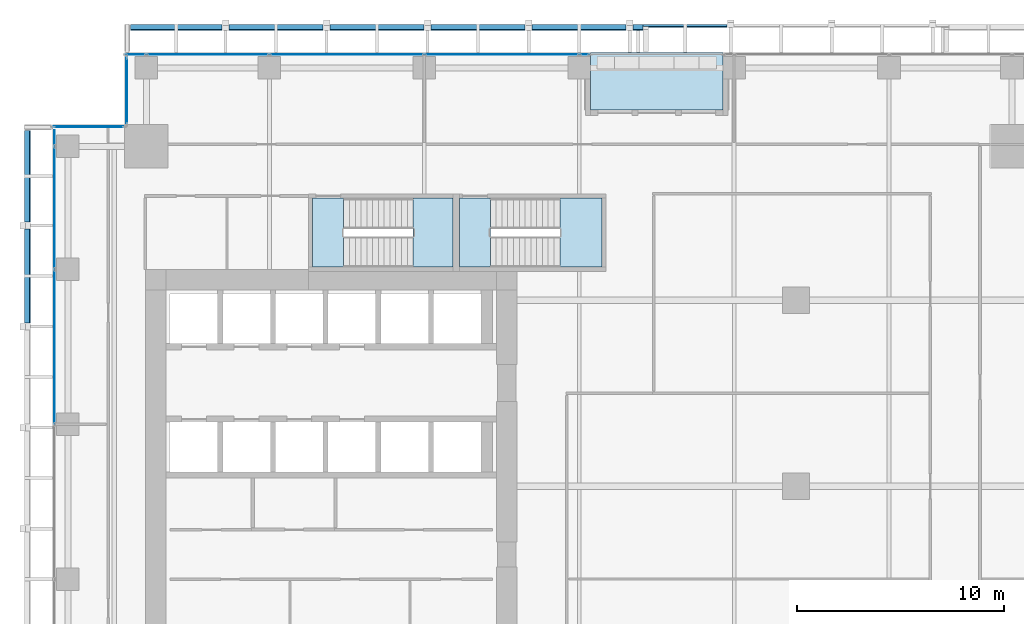
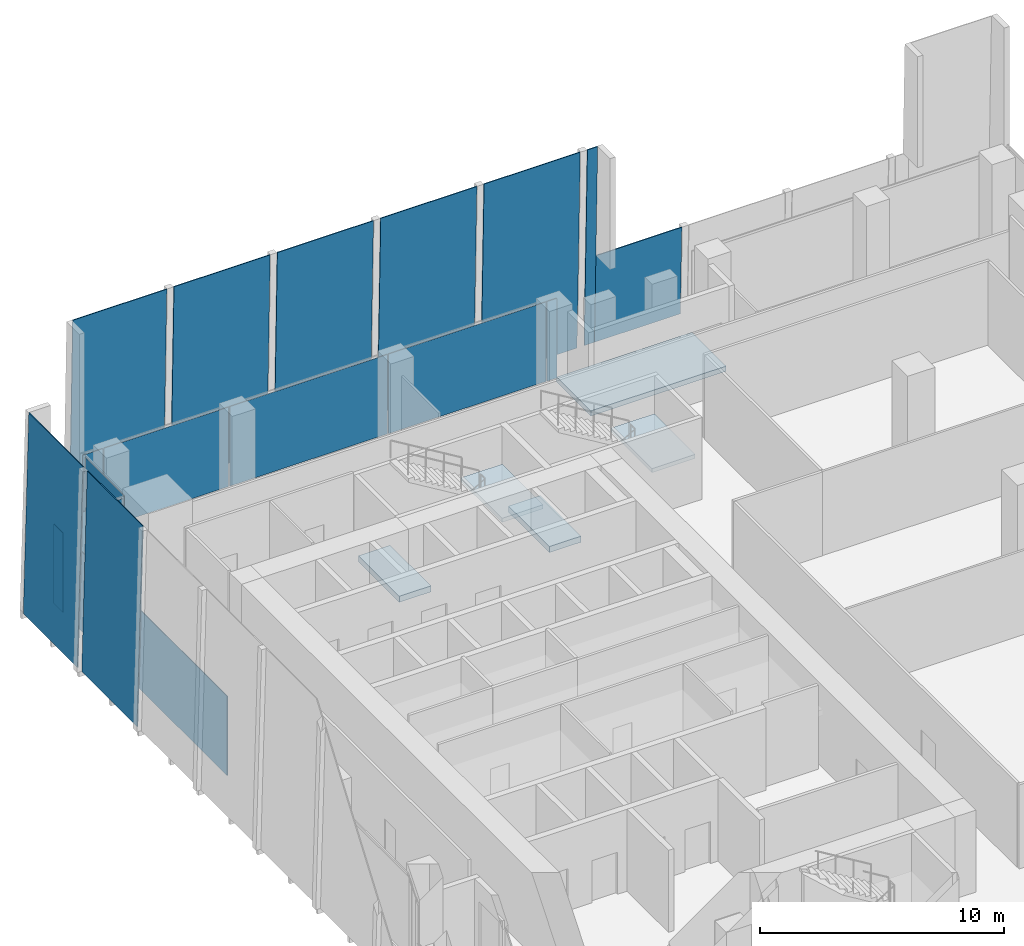
# One storey, part 26 of 34: 19 plates, 5 slabs, 6 elements without a shape of their own.
"""IFC4 building model written with IfcOpenShell, lengths in metres."""

from ifc_helpers import new_model, si_unit, direction, frame, origin, origin_2d, place, context, subcontext, project, spatial, polyline, rectangle, outline, extrude, source, transform, mapped, material, layer, layer_set, type_object, element, aggregate, save


model = new_model("IFC4")

# Units and contexts
model_context = context("Model", 3, precision=1e-05, world=origin(), true_north=direction((0.0, 1.0)))
body_context = subcontext(model_context, "Body", "Model", "MODEL_VIEW")
ifc_project = project(units=[si_unit("LENGTHUNIT", "METRE"), si_unit("AREAUNIT", "SQUARE_METRE"), si_unit("VOLUMEUNIT", "CUBIC_METRE"), si_unit("PLANEANGLEUNIT", "RADIAN"), si_unit("MASSUNIT", "GRAM", prefix="KILO")], contexts=[model_context])

# Site, building, storey
site_placement = place(None, origin())
site = spatial("IfcSite", under=ifc_project, at=site_placement, CompositionType="ELEMENT")
building_placement = place(site_placement, origin())
building = spatial("IfcBuilding", under=site, at=building_placement, Name="Khomas Fold Tower", CompositionType="ELEMENT")
storey_placement = place(building_placement, frame((0.0, 0.0, 154.300048828125)))
storey = spatial("IfcBuildingStorey", under=building, at=storey_placement, Name="L33", CompositionType="ELEMENT", Elevation=154.300048828125)

# Plates
ifc_material_1 = material(Name="Clear laminated glass", Category="glass")
ifc_layer_1 = layer(ifc_material_1, 0.0400390625)
ifc_layer_set_1 = layer_set([ifc_layer_1], Name="Clear laminated glass")
plate_type_1 = type_object("IfcPlateType", Name="SK-Clear laminated glass leaf", PredefinedType="SHEET", material=ifc_layer_set_1)
plate_1_placement = place(storey_placement, frame((5.27001953125, 53.857421875, 0.0009765625), z_axis=(0.0, 0.999657457978, 0.02617186867), x_axis=(1.0, 0.0, 0.0)))
element("IfcPlate", 1, at=plate_1_placement, inside=storey, type_object=plate_type_1, Name="OUTER SKIN glass L33 N1", PredefinedType="SHEET", context=body_context, shape_type="SweptSolid", body=[
    extrude(outline(polyline([(0.0, 0.0), (4.448974609375, 0.0), (4.448974609375, -9.953360616149824), (0.0, -9.953360616149824), (0.0, 0.0)])), origin(), (0.0, 0.0, -1.0), 0.0400390625),
])
for number, where, z_axis, x_axis, name in (
    (2, (10.058837890625, 53.857421875, 0.0009765625), (0.0, 0.999657457978, 0.02617186867), (1.0, 0.0, 0.0), "OUTER SKIN glass L33 N3"),
    (3, (14.94775390625, 53.857421875, 0.0009765625), (0.0, 0.999657457978, 0.02617186867), (1.0, 0.0, 0.0), "OUTER SKIN glass L33 N5"),
    (4, (19.836669921875, 53.857421875, 0.0009765625), (0.0, 0.999657457978, 0.02617186867), (1.0, 0.0, 0.0), "OUTER SKIN glass L33 N7"),
    (5, (24.7255859375, 53.857421875, 0.0009765625), (0.0, 0.999657457978, 0.02617186867), (1.0, 0.0, 0.0), "OUTER SKIN glass L33 N9"),
):
    element("IfcPlate", number, at=place(storey_placement, frame(where, z_axis=z_axis, x_axis=x_axis)), inside=storey, type_object=plate_type_1, Name=name, PredefinedType="SHEET", context=body_context, shape_type="SweptSolid", body=[
        extrude(outline(polyline([(0.0, 0.0), (4.548828125, 0.0), (4.548828125, -9.953360616149824), (0.0, -9.953360616149824), (0.0, 0.0)])), origin(), (0.0, 0.0, -1.0), 0.0400390625),
    ])
plate_2_placement = place(storey_placement, frame((29.614501953125, 53.857421875, 0.0009765625), z_axis=(0.0, 0.999657457978, 0.02617186867), x_axis=(1.0, 0.0, 0.0)))
element("IfcPlate", 6, at=plate_2_placement, inside=storey, type_object=plate_type_1, Name="OUTER SKIN glass L33 N11", PredefinedType="SHEET", context=body_context, shape_type="SweptSolid", body=[
    extrude(outline(polyline([(0.0, 0.0), (0.485595703125, 0.0), (0.485595703125, -9.953360616149823), (0.0, -9.953360616149823), (0.0, 0.0)])), origin(), (0.0, 0.0, -1.0), 0.0400390625),
])
plate_3_placement = place(storey_placement, frame((30.10009765625, 53.857421875, 0.0009765625), z_axis=(0.0, 0.999657212734, 0.026181234292), x_axis=(1.0, 0.0, 0.0)))
element("IfcPlate", 7, at=plate_3_placement, inside=storey, type_object=plate_type_1, Name="OUTER SKIN glass L33 N12", PredefinedType="SHEET", context=body_context, shape_type="SweptSolid", body=[
    extrude(outline(polyline([(0.0, 0.0), (4.063232421875, 0.0), (4.063232421875, -4.401411091424929), (0.0, -4.401411091424929), (0.0, 0.0)])), origin(), (0.0, 0.0, -1.0), 0.0400390625),
])
plate_4_placement = place(storey_placement, frame((0.142578125, 39.392333984375, 0.0009765625), z_axis=(-0.999657457978, 0.0, 0.02617186867), x_axis=(0.0, 1.0, 0.0)))
element("IfcPlate", 8, at=plate_4_placement, inside=storey, type_object=plate_type_1, Name="OUTER SKIN glass L33 W15", PredefinedType="SHEET", context=body_context, shape_type="SweptSolid", body=[
    extrude(outline(polyline([(0.0, 0.0), (4.548828125, 0.0), (4.548828125, -9.953360616149824), (0.0, -9.953360616149824), (0.0, 0.0)])), origin(), (0.0, 0.0, -1.0), 0.0400390625),
])
plate_5_placement = place(storey_placement, frame((0.142578125, 44.281005859375, 0.0009765625), z_axis=(-0.999657457978, 0.0, 0.02617186867), x_axis=(0.0, 1.0, 0.0)))
element("IfcPlate", 9, at=plate_5_placement, inside=storey, type_object=plate_type_1, Name="OUTER SKIN glass L33 W17", PredefinedType="SHEET", context=body_context, shape_type="SweptSolid", body=[
    extrude(outline(polyline([(0.0, 0.0), (4.448974609375, 0.0), (4.448974609375, -9.953360616149824), (0.0, -9.953360616149824), (0.0, 0.0)])), origin(), (0.0, 0.0, -1.0), 0.0400390625),
])

# Curtain wall, plate
ifc_material_2 = material(Name="Aluminium framed double glazing", Category="aluminium")
curtain_wall_type = type_object("IfcCurtainWallType", Name="SK-Unitised clear-glass wall, growing floors CW1", PredefinedType="NOTDEFINED", material=ifc_material_2)
curtain_wall_1_placement = place(storey_placement, origin())
curtain_wall_1 = element("IfcCurtainWall", 10, at=curtain_wall_1_placement, inside=storey, type_object=curtain_wall_type, Name="CW1 run L33 09-0", PredefinedType="NOTDEFINED")
ifc_material_3 = material(Name="Clear double glazed unit")
ifc_layer_2 = layer(ifc_material_3, 0.031982421875)
ifc_layer_set_2 = layer_set([ifc_layer_2], Name="Clear double glazed unit")
plate_type_2 = type_object("IfcPlateType", Name="SK-Unitised clear-glass wall, growing floors glass panel CW1-P", PredefinedType="CURTAIN_PANEL", material=ifc_layer_set_2)
shared_shape_1 = source(origin(), body_context, "Body", "SweptSolid", [
    extrude(rectangle(XDim=0.760009765625, YDim=0.031982421875, at=origin_2d()), origin(), (0.0, 0.0, 1.0), 3.97998046875),
])
plate_6_placement = place(storey_placement, frame((1.60009765625, 48.360107421875, 0.0), z_axis=(0.0, 0.0, 1.0), x_axis=(0.0, -1.0, 0.0)))
plate_6 = element("IfcPlate", 11, at=plate_6_placement, type_object=plate_type_2, Name="CW1 glass panel 1", PredefinedType="CURTAIN_PANEL", context=body_context, shape_type="MappedRepresentation", body=[
    mapped(shared_shape_1, transform((0.0, 0.0, 0.0))),
])

curtain_wall_2_placement = place(storey_placement, origin())
curtain_wall_2 = element("IfcCurtainWall", 12, at=curtain_wall_2_placement, inside=storey, type_object=curtain_wall_type, Name="CW1 run L33 06-1", PredefinedType="NOTDEFINED")
shared_shape_2 = source(origin(), body_context, "Body", "SweptSolid", [
    extrude(rectangle(XDim=5.889892578125, YDim=0.031982421875, at=origin_2d()), origin(), (0.0, 0.0, 1.0), 3.97998046875),
])
plate_7_placement = place(storey_placement, frame((9.02490234375, 52.39990234375, 0.0), z_axis=(0.0, 0.0, 1.0), x_axis=(-1.0, 0.0, 0.0)))
plate_7 = element("IfcPlate", 13, at=plate_7_placement, type_object=plate_type_2, Name="CW1 glass panel 4", PredefinedType="CURTAIN_PANEL", context=body_context, shape_type="MappedRepresentation", body=[
    mapped(shared_shape_2, transform((0.0, 0.0, 0.0))),
])

# Plate
plate_8_placement = place(storey_placement, frame((1.60009765625, 44.97509765625, 0.0), z_axis=(0.0, 0.0, 1.0), x_axis=(0.0, -1.0, 0.0)))
plate_8 = element("IfcPlate", 14, at=plate_8_placement, type_object=plate_type_2, Name="CW1 glass panel 2", PredefinedType="CURTAIN_PANEL", context=body_context, shape_type="MappedRepresentation", body=[
    mapped(shared_shape_2, transform((0.0, 0.0, 0.0))),
])

shared_shape_3 = source(origin(), body_context, "Body", "SweptSolid", [
    extrude(rectangle(XDim=7.43994140625, YDim=0.031982421875, at=origin_2d()), origin(), (0.0, 0.0, 1.0), 3.97998046875),
])
plate_9_placement = place(storey_placement, frame((23.25, 52.39990234375, 0.0), z_axis=(0.0, 0.0, 1.0), x_axis=(-1.0, 0.0, 0.0)))
plate_9 = element("IfcPlate", 15, at=plate_9_placement, type_object=plate_type_2, Name="CW1 glass panel 2", PredefinedType="CURTAIN_PANEL", context=body_context, shape_type="MappedRepresentation", body=[
    mapped(shared_shape_3, transform((0.0, 0.0, 0.0))),
])

plate_10_placement = place(storey_placement, frame((15.75, 52.39990234375, 0.0), z_axis=(0.0, 0.0, 1.0), x_axis=(-1.0, 0.0, 0.0)))
plate_10 = element("IfcPlate", 16, at=plate_10_placement, type_object=plate_type_2, Name="CW1 glass panel 3", PredefinedType="CURTAIN_PANEL", context=body_context, shape_type="MappedRepresentation", body=[
    mapped(shared_shape_3, transform((0.0, 0.0, 0.0))),
])

plate_11_placement = place(storey_placement, frame((1.60009765625, 38.25, 0.0), z_axis=(0.0, 0.0, 1.0), x_axis=(0.0, -1.0, 0.0)))
plate_11 = element("IfcPlate", 17, at=plate_11_placement, type_object=plate_type_2, Name="CW1 glass panel 3", PredefinedType="CURTAIN_PANEL", context=body_context, shape_type="MappedRepresentation", body=[
    mapped(shared_shape_3, transform((0.0, 0.0, 0.0))),
])

aggregate(curtain_wall_1, [plate_6, plate_8, plate_11])

shared_shape_4 = source(origin(), body_context, "Body", "SweptSolid", [
    extrude(rectangle(XDim=0.9599609375, YDim=0.031982421875, at=origin_2d()), origin(), (0.0, 0.0, 1.0), 3.97998046875),
])
plate_12_placement = place(storey_placement, frame((5.5400390625, 52.39990234375, 0.0), z_axis=(0.0, 0.0, 1.0), x_axis=(-1.0, 0.0, 0.0)))
plate_12 = element("IfcPlate", 18, at=plate_12_placement, type_object=plate_type_2, Name="CW1 glass panel 5", PredefinedType="CURTAIN_PANEL", context=body_context, shape_type="MappedRepresentation", body=[
    mapped(shared_shape_4, transform((0.0, 0.0, 0.0))),
])

# Curtain wall, plate
curtain_wall_3_placement = place(storey_placement, origin())
curtain_wall_3 = element("IfcCurtainWall", 19, at=curtain_wall_3_placement, inside=storey, type_object=curtain_wall_type, Name="CW1 corner return L33 07", PredefinedType="NOTDEFINED")
shared_shape_5 = source(origin(), body_context, "Body", "SweptSolid", [
    extrude(rectangle(XDim=3.179931640625, YDim=0.031982421875, at=origin_2d()), origin(), (0.0, 0.0, 1.0), 3.97998046875),
])
plate_13_placement = place(storey_placement, frame((5.10009765625, 50.64990234375, 0.0), z_axis=(0.0, 0.0, 1.0), x_axis=(0.0, -1.0, 0.0)))
plate_13 = element("IfcPlate", 20, at=plate_13_placement, type_object=plate_type_2, Name="CW1 glass panel 1", PredefinedType="CURTAIN_PANEL", context=body_context, shape_type="MappedRepresentation", body=[
    mapped(shared_shape_5, transform((0.0, 0.0, 0.0))),
])
aggregate(curtain_wall_3, [plate_13])

curtain_wall_4_placement = place(storey_placement, origin())
curtain_wall_4 = element("IfcCurtainWall", 21, at=curtain_wall_4_placement, inside=storey, type_object=curtain_wall_type, Name="CW1 corner return L33 08", PredefinedType="NOTDEFINED")
shared_shape_6 = source(origin(), body_context, "Body", "SweptSolid", [
    extrude(rectangle(XDim=3.3798828125, YDim=0.031982421875, at=origin_2d()), origin(), (0.0, 0.0, 1.0), 3.97998046875),
])
plate_14_placement = place(storey_placement, frame((3.25, 48.89990234375, 0.0), z_axis=(0.0, 0.0, 1.0), x_axis=(-1.0, 0.0, 0.0)))
plate_14 = element("IfcPlate", 22, at=plate_14_placement, type_object=plate_type_2, Name="CW1 glass panel 1", PredefinedType="CURTAIN_PANEL", context=body_context, shape_type="MappedRepresentation", body=[
    mapped(shared_shape_6, transform((0.0, 0.0, 0.0))),
])
aggregate(curtain_wall_4, [plate_14])

# Plate
shared_shape_7 = source(origin(), body_context, "Body", "SweptSolid", [
    extrude(rectangle(XDim=0.4599609375, YDim=0.031982421875, at=origin_2d()), origin(), (0.0, 0.0, 1.0), 3.97998046875),
])
plate_15_placement = place(storey_placement, frame((27.260009765625, 52.39990234375, 0.0), z_axis=(0.0, 0.0, 1.0), x_axis=(-1.0, 0.0, 0.0)))
plate_15 = element("IfcPlate", 23, at=plate_15_placement, type_object=plate_type_2, Name="CW1 glass panel 1", PredefinedType="CURTAIN_PANEL", context=body_context, shape_type="MappedRepresentation", body=[
    mapped(shared_shape_7, transform((0.0, 0.0, 0.0))),
])

aggregate(curtain_wall_2, [plate_15, plate_9, plate_10, plate_7, plate_12])

# Slab
ifc_material_4 = material(Name="Concrete C40/50", Category="concrete")
ifc_layer_3 = layer(ifc_material_4, 0.2548828125)
ifc_layer_set_3 = layer_set([ifc_layer_3], Name="Concrete C40/50")
slab_type_1 = type_object("IfcSlabType", Name="BL-Balcony deck 255", PredefinedType="FLOOR", material=ifc_layer_set_3)
shared_shape_8 = source(origin(), body_context, "Body", "SweptSolid", [
    extrude(outline(polyline([(27.550048828125, 49.699951171875), (33.949951171875, 49.699951171875), (33.949951171875, 52.5), (27.550048828125, 52.5), (27.550048828125, 49.699951171875)])), origin(), (0.0, 0.0, 1.0), 0.2548828125),
])
slab_1_placement = place(storey_placement, frame((0.0, 0.0, -0.300048828125)))
element("IfcSlab", 24, at=slab_1_placement, inside=storey, type_object=slab_type_1, Name="Balcony deck BAL-L33-N3", PredefinedType="FLOOR", context=body_context, shape_type="MappedRepresentation", body=[
    mapped(shared_shape_8, transform((0.0, 0.0, 0.0))),
])

# Stair, slab
ifc_material_5 = material(Name="Concrete C40/50", Category="concrete")
stair_type_1 = type_object("IfcStairType", Name="Stair ST1", PredefinedType="HALF_TURN_STAIR", material=ifc_material_5)
stair_1_placement = place(storey_placement, origin())
stair_1 = element("IfcStair", 25, at=stair_1_placement, inside=storey, type_object=stair_type_1, Name="L33 ST1", PredefinedType="HALF_TURN_STAIR")
ifc_material_6 = material(Name="Concrete C40/50", Category="concrete")
ifc_layer_4 = layer(ifc_material_6, 0.199951171875)
ifc_layer_set_4 = layer_set([ifc_layer_4], Name="Concrete C40/50")
slab_type_2 = type_object("IfcSlabType", Name="Stair landing 200", PredefinedType="LANDING", material=ifc_layer_set_4)
shared_shape_9 = source(origin(), body_context, "Body", "SweptSolid", [
    extrude(outline(polyline([(18.9599609375, 42.10009765625), (20.89990234375, 42.10009765625), (20.89990234375, 45.449951171875), (18.9599609375, 45.449951171875), (18.9599609375, 42.10009765625)])), origin(), (0.0, 0.0, 1.0), 0.199951171875),
])
slab_2_placement = place(storey_placement, frame((0.0, 0.0, 2.0)))
slab_2 = element("IfcSlab", 26, at=slab_2_placement, type_object=slab_type_2, Name="ST1 landing 1", PredefinedType="LANDING", context=body_context, shape_type="MappedRepresentation", body=[
    mapped(shared_shape_9, transform((0.0, 0.0, 0.0))),
])
aggregate(stair_1, [slab_2])

# Slab
ifc_material_7 = material(Name="Concrete C40/50", Category="concrete")
ifc_layer_5 = layer(ifc_material_7, 0.300048828125)
ifc_layer_set_5 = layer_set([ifc_layer_5], Name="Concrete C40/50")
slab_type_3 = type_object("IfcSlabType", Name="Stair floor landing 300", PredefinedType="LANDING", material=ifc_layer_set_5)
shared_shape_10 = source(origin(), body_context, "Body", "SweptSolid", [
    extrude(outline(polyline([(15.60009765625, 42.10009765625), (14.10009765625, 42.10009765625), (14.10009765625, 45.449951171875), (15.60009765625, 45.449951171875), (15.60009765625, 42.10009765625)])), origin(), (0.0, 0.0, 1.0), 0.300048828125),
])
slab_3_placement = place(storey_placement, frame((0.0, 0.0, -0.300048828125)))
element("IfcSlab", 27, at=slab_3_placement, inside=storey, type_object=slab_type_3, Name="ST1 floor landing", PredefinedType="LANDING", context=body_context, shape_type="MappedRepresentation", body=[
    mapped(shared_shape_10, transform((0.0, 0.0, 0.0))),
])

# Stair, slab
ifc_material_8 = material(Name="Concrete C40/50", Category="concrete")
stair_type_2 = type_object("IfcStairType", Name="Stair ST3", PredefinedType="HALF_TURN_STAIR", material=ifc_material_8)
stair_2_placement = place(storey_placement, origin())
stair_2 = element("IfcStair", 28, at=stair_2_placement, inside=storey, type_object=stair_type_2, Name="L33 ST3", PredefinedType="HALF_TURN_STAIR")
shared_shape_11 = source(origin(), body_context, "Body", "SweptSolid", [
    extrude(outline(polyline([(26.06005859375, 42.10009765625), (28.10009765625, 42.10009765625), (28.10009765625, 45.449951171875), (26.06005859375, 45.449951171875), (26.06005859375, 42.10009765625)])), origin(), (0.0, 0.0, 1.0), 0.199951171875),
])
slab_4_placement = place(storey_placement, frame((0.0, 0.0, 2.0)))
slab_4 = element("IfcSlab", 29, at=slab_4_placement, type_object=slab_type_2, Name="ST3 landing 1", PredefinedType="LANDING", context=body_context, shape_type="MappedRepresentation", body=[
    mapped(shared_shape_11, transform((0.0, 0.0, 0.0))),
])
aggregate(stair_2, [slab_4])

# Slab
shared_shape_12 = source(origin(), body_context, "Body", "SweptSolid", [
    extrude(outline(polyline([(22.699951171875, 42.10009765625), (21.199951171875, 42.10009765625), (21.199951171875, 45.449951171875), (22.699951171875, 45.449951171875), (22.699951171875, 42.10009765625)])), origin(), (0.0, 0.0, 1.0), 0.300048828125),
])
slab_5_placement = place(storey_placement, frame((0.0, 0.0, -0.300048828125)))
element("IfcSlab", 30, at=slab_5_placement, inside=storey, type_object=slab_type_3, Name="ST3 floor landing", PredefinedType="LANDING", context=body_context, shape_type="MappedRepresentation", body=[
    mapped(shared_shape_12, transform((0.0, 0.0, 0.0))),
])

save(model, "model.ifc")
